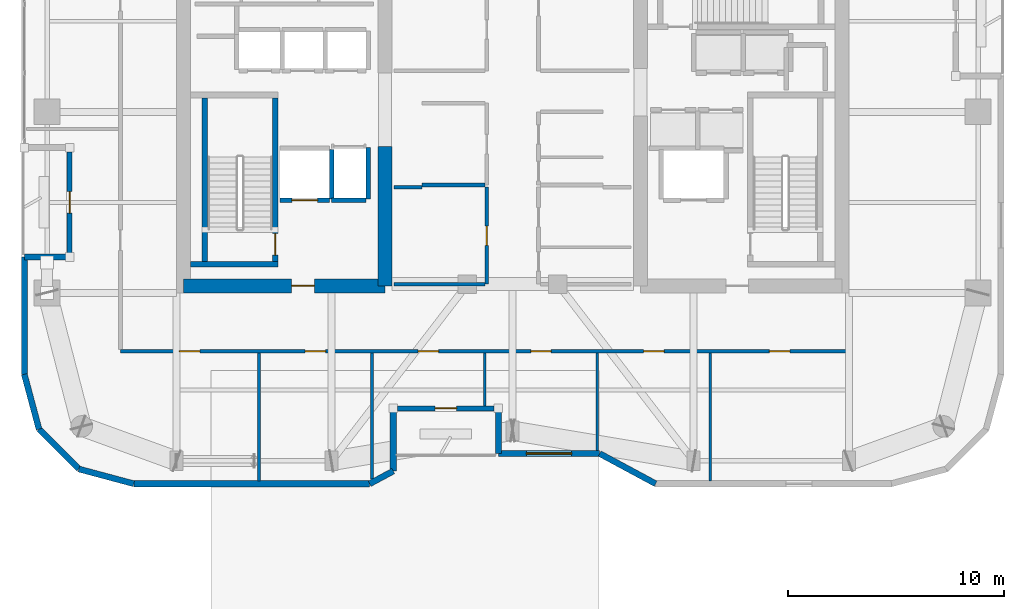
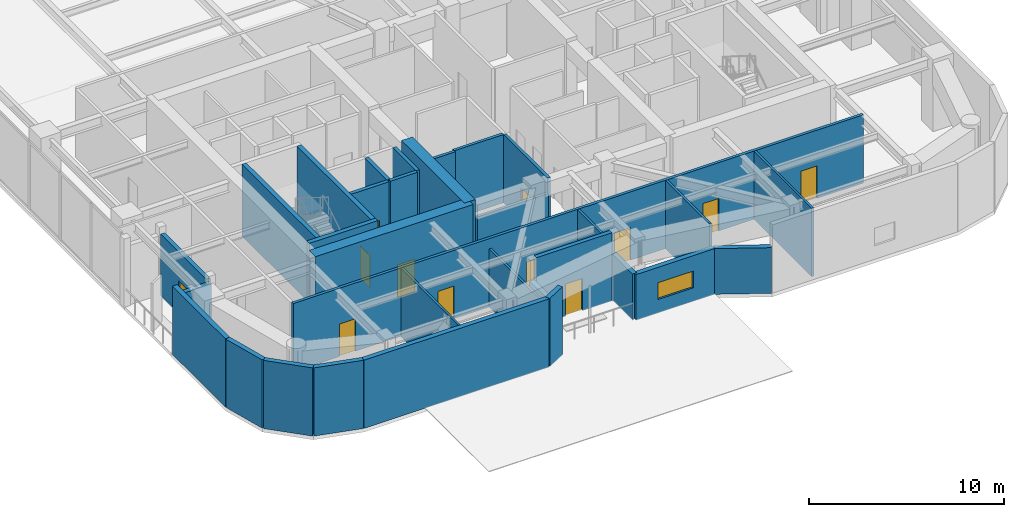
# One storey, part 11 of 18: 32 walls, 12 doors, 1 window, 13 openings.
"""IFC4 building model written with IfcOpenShell, lengths in metres."""

import ifcopenshell
import ifcopenshell.guid

model = None  # the IFC model being written
_history = None  # IfcOwnerHistory: only IFC2X3 demands one
_inside = {}  # id of a spatial element -> (the spatial element, [elements in it])
_under = {}  # id of a project, library or spatial element -> (it, [spatial elements below it])
_declared = {}  # id of a project -> (the project, [libraries it declares])
_typed = {}  # id of a type object -> (the type object, [elements of that type])
_made_of = {}  # id of a material, layer set ... -> (it, [elements and type objects made of it])


def new_model(schema):
    """Start an empty IFC model of exactly this schema.

    Asked for "IFC4X3", IfcOpenShell would pick the latest addendum, in which some entities
    have other attributes; the version numbers below select the first issue.
    IFC2X3 requires an IfcOwnerHistory on every rooted entity: one is made here for all.
    """
    global model, _history
    if schema == "IFC4X3":
        model = ifcopenshell.file(schema_version=(4, 3, 0, 0))
    else:
        model = ifcopenshell.file(schema=schema)
    _inside.clear()
    _under.clear()
    _declared.clear()
    _typed.clear()
    _made_of.clear()
    _history = None
    if model.schema == "IFC2X3":
        org = make("IfcOrganization", Name="unknown")
        user = make(
            "IfcPersonAndOrganization",
            ThePerson=make("IfcPerson", FamilyName="unknown"),
            TheOrganization=org,
        )
        app = make(
            "IfcApplication",
            ApplicationDeveloper=org,
            Version="unknown",
            ApplicationFullName="unknown",
            ApplicationIdentifier="unknown",
        )
        _history = make(
            "IfcOwnerHistory",
            OwningUser=user,
            OwningApplication=app,
            ChangeAction="ADDED",
            CreationDate=0,
        )
    return model


def make(cls, **values):
    """One entity of the class cls with the attributes given. An attribute that is None is left unset."""
    return model.create_entity(
        cls, **{name: value for name, value in values.items() if value is not None}
    )


def rooted(cls, **values):
    """An entity with a GlobalId (a new one), such as an element, a storey or a relation."""
    return make(cls, GlobalId=ifcopenshell.guid.new(), OwnerHistory=_history, **values)


def si_unit(unit_type, name, prefix=None):
    """IfcSIUnit, for example si_unit("LENGTHUNIT", "METRE", prefix="MILLI")."""
    return make("IfcSIUnit", UnitType=unit_type, Prefix=prefix, Name=name)


def assignment(units):
    """IfcUnitAssignment: the units of a project."""
    return None if units is None else make("IfcUnitAssignment", Units=units)


def point(xyz):
    """IfcCartesianPoint."""
    return None if xyz is None else make("IfcCartesianPoint", Coordinates=xyz)


def direction(xyz):
    """IfcDirection."""
    return None if xyz is None else make("IfcDirection", DirectionRatios=xyz)


def frame(location, z_axis=None, x_axis=None):
    """IfcAxis2Placement3D, a coordinate frame: its origin and axes. An axis left out is left unset."""
    return make(
        "IfcAxis2Placement3D",
        Location=point(location),
        Axis=direction(z_axis),
        RefDirection=direction(x_axis),
    )


def frame_2d(location, x_axis=None):
    """IfcAxis2Placement2D, a coordinate frame in the plane: its origin and x axis."""
    return make(
        "IfcAxis2Placement2D", Location=point(location), RefDirection=direction(x_axis)
    )


def origin():
    """The frame at (0, 0, 0) with its axes left unset."""
    return frame((0.0, 0.0, 0.0))


def place(relative_to, where):
    """IfcLocalPlacement: puts the frame where relative to a parent placement (None: the world)."""
    return make(
        "IfcLocalPlacement", PlacementRelTo=relative_to, RelativePlacement=where
    )


def context(
    kind, dimensions, precision=None, world=None, true_north=None, identifier=None
):
    """IfcGeometricRepresentationContext, for example the 3D "Model" context."""
    return make(
        "IfcGeometricRepresentationContext",
        ContextIdentifier=identifier,
        ContextType=kind,
        CoordinateSpaceDimension=dimensions,
        Precision=precision,
        WorldCoordinateSystem=world,
        TrueNorth=true_north,
    )


def subcontext(parent, identifier, kind, view, scale=None):
    """IfcGeometricRepresentationSubContext, for example "Body" below "Model"."""
    return make(
        "IfcGeometricRepresentationSubContext",
        ContextIdentifier=identifier,
        ContextType=kind,
        ParentContext=parent,
        TargetScale=scale,
        TargetView=view,
    )


def project(units=None, contexts=None):
    """IfcProject with its units and contexts."""
    return rooted(
        "IfcProject",
        Name="project",
        RepresentationContexts=contexts,
        UnitsInContext=assignment(units),
    )


def spatial(cls, under=None, at=None, **own):
    """A site, building, storey or space (cls), placed at a placement, below another one or the project."""
    s = rooted(cls, ObjectPlacement=at, **own)
    if under is not None:
        _under.setdefault(under.id(), (under, []))[1].append(s)
    return s


def profile(cls, at=None, kind="AREA", **sizes):
    """A parametric profile (cls). Its sizes go by their IFC names, for example OverallWidth=200.0."""
    return make(cls, ProfileType=kind, Position=at, **sizes)


def rectangle(**sizes):
    """IfcRectangleProfileDef."""
    return profile("IfcRectangleProfileDef", **sizes)


def extrude(swept, where, along, depth):
    """IfcExtrudedAreaSolid: the profile swept, set in the frame where, extruded along a direction by depth."""
    return make(
        "IfcExtrudedAreaSolid",
        SweptArea=swept,
        Position=where,
        ExtrudedDirection=direction(along),
        Depth=depth,
    )


def shape(context_of_items, identifier, shape_type, items):
    """IfcShapeRepresentation: the items that make up one representation, for example the "Body"."""
    return make(
        "IfcShapeRepresentation",
        ContextOfItems=context_of_items,
        RepresentationIdentifier=identifier,
        RepresentationType=shape_type,
        Items=items,
    )


def material(Name=None, Category=None):
    """IfcMaterial."""
    return make("IfcMaterial", Name=Name, Category=Category)


def layer(
    of_material, thickness, ventilated=None, Name=None, Category=None, Priority=None
):
    """IfcMaterialLayer: one layer of a wall or slab, of a material (None: an air gap)."""
    return make(
        "IfcMaterialLayer",
        Material=of_material,
        LayerThickness=thickness,
        IsVentilated=ventilated,
        Name=Name,
        Category=Category,
        Priority=Priority,
    )


def layer_set(layers, Name=None):
    """IfcMaterialLayerSet."""
    return make("IfcMaterialLayerSet", MaterialLayers=layers, LayerSetName=Name)


def made_of(thing, what):
    """Note that an element or type object is made of a material, layer set ...; save() writes the relation."""
    if what is not None:
        _made_of.setdefault(what.id(), (what, []))[1].append(thing)
    return thing


def type_object(cls, material=None, **own):
    """A type object (cls), such as IfcWallType, which elements share."""
    return made_of(rooted(cls, **own), material)


def element(
    cls,
    number,
    at=None,
    inside=None,
    cuts=None,
    type_object=None,
    material=None,
    context=None,
    identifier="Body",
    shape_type=None,
    held_by="IfcProductDefinitionShape",
    body=None,
    shapes=None,
    **own,
):
    """One element of the class cls, such as IfcWall. Its Tag is "e" and its number.

    at: its placement. inside: the storey or other place that contains it. cuts: it is an
    opening in that element (IfcRelVoidsElement). A single representation is given by context,
    identifier, shape_type and body (its items); several are given by shapes. held_by: the class
    of the entity that holds the representations. save() writes the other relations.
    """
    e = rooted(cls, Tag="e%d" % number, ObjectPlacement=at, **own)
    if body is not None:
        shapes = [shape(context, identifier, shape_type, body)]
    if shapes is not None:
        e.Representation = make(held_by, Representations=shapes)
    if inside is not None:
        _inside.setdefault(inside.id(), (inside, []))[1].append(e)
    if cuts is not None:
        rooted(
            "IfcRelVoidsElement", RelatingBuildingElement=cuts, RelatedOpeningElement=e
        )
    if type_object is not None:
        _typed.setdefault(type_object.id(), (type_object, []))[1].append(e)
    return made_of(e, material)


def fill(opening, filler):
    """IfcRelFillsElement: the door or window that sits in an opening."""
    return rooted(
        "IfcRelFillsElement",
        RelatingOpeningElement=opening,
        RelatedBuildingElement=filler,
    )


def aggregate(whole, parts):
    """IfcRelAggregates: a whole, such as a stair, and the parts it consists of."""
    return rooted("IfcRelAggregates", RelatingObject=whole, RelatedObjects=parts)


def save(model, path):
    """Write the relations noted so far, then the file.

    IfcRelAggregates (storeys below a building ...), IfcRelContainedInSpatialStructure (elements
    in a storey), IfcRelDefinesByType, IfcRelAssociatesMaterial and IfcRelDeclares: one each for
    every whole, place, type object, material and project.
    """
    for whole, parts in _under.values():
        aggregate(whole, parts)
    for where, things in _inside.values():
        rooted(
            "IfcRelContainedInSpatialStructure",
            RelatedElements=things,
            RelatingStructure=where,
        )
    for kind, things in _typed.values():
        rooted("IfcRelDefinesByType", RelatedObjects=things, RelatingType=kind)
    for what, things in _made_of.values():
        rooted("IfcRelAssociatesMaterial", RelatedObjects=things, RelatingMaterial=what)
    for by, libraries in _declared.values():
        rooted("IfcRelDeclares", RelatingContext=by, RelatedDefinitions=libraries)
    model.write(path)


model = new_model("IFC4")

# Units and contexts
model_context = context("Model", 3, precision=1e-05, world=origin(), true_north=direction((0.0, 1.0)))
body_context = subcontext(model_context, "Body", "Model", "MODEL_VIEW")
ifc_project = project(units=[si_unit("LENGTHUNIT", "METRE"), si_unit("AREAUNIT", "SQUARE_METRE"), si_unit("VOLUMEUNIT", "CUBIC_METRE"), si_unit("PLANEANGLEUNIT", "RADIAN"), si_unit("MASSUNIT", "GRAM", prefix="KILO")], contexts=[model_context])

# Site, building, storey
site_placement = place(None, origin())
site = spatial("IfcSite", under=ifc_project, at=site_placement, CompositionType="ELEMENT")
building_placement = place(site_placement, origin())
building = spatial("IfcBuilding", under=site, at=building_placement, Name="Kiyonajd Concourse Tower", CompositionType="ELEMENT")
storey_placement = place(building_placement, frame((0.0, 0.0, 214.800048828125)))
storey = spatial("IfcBuildingStorey", under=building, at=storey_placement, Name="L54", CompositionType="ELEMENT", Elevation=214.800048828125)

# Wall
ifc_material_1 = material(Name="Concrete C60/75", Category="concrete")
ifc_layer_1 = layer(ifc_material_1, 0.64990234375)
ifc_layer_set_1 = layer_set([ifc_layer_1], Name="Concrete C60/75")
wall_type_1 = type_object("IfcWallType", Name="WL-CORE-650", PredefinedType="SHEAR", material=ifc_layer_set_1)
wall_1_placement = place(storey_placement, frame((42.074951171875, 27.925048828125, 0.0), z_axis=(0.0, 0.0, 1.0), x_axis=(0.0, 1.0, 0.0)))
element("IfcWall", 1, at=wall_1_placement, inside=storey, type_object=wall_type_1, Name="L54 West Core Inner South Shear Wall", PredefinedType="SHEAR", context=body_context, shape_type="SweptSolid", body=[
    extrude(rectangle(XDim=6.474853515625, YDim=0.64990234375, at=frame_2d((3.2373046875, 0.0))), origin(), (0.0, 0.0, 1.0), 4.5),
])

# Wall, opening, door
wall_2_placement = place(storey_placement, frame((32.72509765625, 27.925048828125, 0.0), z_axis=(0.0, 0.0, 1.0), x_axis=(1.0, 0.0, 0.0)))
wall_2 = element("IfcWall", 2, at=wall_2_placement, inside=storey, type_object=wall_type_1, Name="L54 West Core South Shear Wall", PredefinedType="SHEAR", context=body_context, shape_type="SweptSolid", body=[
    extrude(rectangle(XDim=9.349853515625, YDim=0.64990234375, at=frame_2d((4.6748046875, 0.0))), origin(), (0.0, 0.0, 1.0), 4.5),
])
opening_1_placement = place(wall_2_placement, frame((5.02490234375, 0.0, 0.0)))
opening_1 = element("IfcOpeningElement", 3, at=opening_1_placement, cuts=wall_2, Name="Opening DF5", PredefinedType="OPENING", context=body_context, shape_type="SweptSolid", body=[
    extrude(rectangle(XDim=1.050048828125, YDim=2.0400390625, at=frame_2d((0.52490234375, 1.02001953125))), frame((0.0, 0.3349609375, 0.0), z_axis=(0.0, -1.0, 0.0), x_axis=(1.0, 0.0, 0.0)), (0.0, 0.0, 1.0), 0.669921875),
])
ifc_material_2 = material(Name="Brushed Stainless Steel Cab Assembly", Category="steel")
door_type_1 = type_object("IfcDoorType", Name="DR-FD45-1050", OperationType="NOTDEFINED", PredefinedType="DOOR", material=ifc_material_2)
door_1_placement = place(opening_1_placement, origin())
door_1 = element("IfcDoor", 4, at=door_1_placement, inside=storey, type_object=door_type_1, Name="L54 Firefighting Lift Lobby W Smoke Door", OperationType="SINGLE_SWING_LEFT", OverallHeight=2.0400390625, OverallWidth=1.050048828125, PredefinedType="DOOR", context=body_context, shape_type="SweptSolid", body=[
    extrude(rectangle(XDim=1.050048828125, YDim=2.0400390625, at=frame_2d((0.52490234375, 1.02001953125))), frame((0.0, 0.02490234375, 0.0), z_axis=(0.0, -1.0, 0.0), x_axis=(1.0, 0.0, 0.0)), (0.0, 0.0, 1.0), 0.050048828125),
])
fill(opening_1, door_1)

# Walls
ifc_material_3 = material(Name="Precast concrete C50/60", Category="concrete")
ifc_layer_2 = layer(ifc_material_3, 0.280029296875)
ifc_layer_set_2 = layer_set([ifc_layer_2], Name="Precast concrete C50/60")
wall_type_2 = type_object("IfcWallType", Name="WL-EXT-280", PredefinedType="SOLIDWALL", material=ifc_layer_set_2)
wall_3_placement = place(storey_placement, frame((26.0224609375, 21.2724609375, 0.0), z_axis=(0.0, 0.0, 1.0), x_axis=(-0.2588904131, 0.965906700466, 0.0)))
element("IfcWall", 5, at=wall_3_placement, inside=storey, type_object=wall_type_2, Name="L54 Exterior Concrete Frame Wall 00", PredefinedType="SOLIDWALL", context=body_context, shape_type="SweptSolid", body=[
    extrude(rectangle(XDim=2.6357421875, YDim=0.280029296875, at=frame_2d((1.31787109375, 0.0))), origin(), (0.0, 0.0, 1.0), 4.280029296875),
])
wall_4_placement = place(storey_placement, frame((25.340087890625, 23.818359375, 0.0), z_axis=(0.0, 0.0, 1.0), x_axis=(0.0, 1.0, 0.0)))
element("IfcWall", 6, at=wall_4_placement, inside=storey, type_object=wall_type_2, Name="L54 Exterior Concrete Frame Wall 01", PredefinedType="SOLIDWALL", context=body_context, shape_type="SweptSolid", body=[
    extrude(rectangle(XDim=5.441650390625, YDim=0.280029296875, at=frame_2d((2.720703125, 0.0))), origin(), (0.0, 0.0, 1.0), 4.280029296875),
])
wall_5_placement = place(storey_placement, frame((25.340087890625, 29.260009765625, 0.0), z_axis=(0.0, 0.0, 1.0), x_axis=(1.0, 0.0, 0.0)))
element("IfcWall", 7, at=wall_5_placement, inside=storey, type_object=wall_type_2, Name="L54 Exterior Concrete Frame Wall 02", PredefinedType="SOLIDWALL", context=body_context, shape_type="SweptSolid", body=[
    extrude(rectangle(XDim=2.099853515625, YDim=0.280029296875, at=frame_2d((1.0498046875, 0.0))), origin(), (0.0, 0.0, 1.0), 3.716064453125),
])
wall_6_placement = place(storey_placement, frame((54.63525390625, 18.739990234375, 0.0), z_axis=(0.0, 0.0, 1.0), x_axis=(-0.880473754814, 0.474094892488, 0.0)))
element("IfcWall", 8, at=wall_6_placement, inside=storey, type_object=wall_type_2, Name="L54 Exterior Concrete Frame Wall 29", PredefinedType="SOLIDWALL", context=body_context, shape_type="SweptSolid", body=[
    extrude(rectangle(XDim=2.952880859375, YDim=0.280029296875, at=frame_2d((1.4765625, 0.0))), origin(), (0.0, 0.0, 1.0), 2.864990234375),
])

# Wall, opening, window
wall_7_placement = place(storey_placement, frame((52.035400390625, 20.139892578125, 0.0), z_axis=(0.0, 0.0, 1.0), x_axis=(-1.0, 0.0, 0.0)))
wall_7 = element("IfcWall", 9, at=wall_7_placement, inside=storey, type_object=wall_type_2, Name="L54 Exterior Concrete Frame Wall 30", PredefinedType="SOLIDWALL", context=body_context, shape_type="SweptSolid", body=[
    extrude(rectangle(XDim=4.6953125, YDim=0.280029296875, at=frame_2d((2.34765625, 0.0))), origin(), (0.0, 0.0, 1.0), 2.864990234375),
])
opening_2_placement = place(wall_7_placement, frame((1.298095703125, 0.0, 0.85009765625)))
opening_2 = element("IfcOpeningElement", 10, at=opening_2_placement, cuts=wall_7, Name="Opening WN5", PredefinedType="OPENING", context=body_context, shape_type="SweptSolid", body=[
    extrude(rectangle(XDim=2.10009765625, YDim=1.050048828125, at=frame_2d((1.050048828125, 0.52490234375))), frame((0.0, 0.14990234375, 0.0), z_axis=(0.0, -1.0, 0.0), x_axis=(1.0, 0.0, 0.0)), (0.0, 0.0, 1.0), 0.300048828125),
])
ifc_material_4 = material(Name="Double Low-E Insulated Glass", Category="glass")
window_type = type_object("IfcWindowType", Name="WN-VIS-2100x1050", PartitioningType="SINGLE_PANEL", PredefinedType="WINDOW", material=ifc_material_4)
window_placement = place(opening_2_placement, origin())
window = element("IfcWindow", 11, at=window_placement, inside=storey, type_object=window_type, Name="L54 Modular Facade Vision Window 30", OverallHeight=1.050048828125, OverallWidth=2.10009765625, PartitioningType="SINGLE_PANEL", PredefinedType="WINDOW", context=body_context, shape_type="SweptSolid", body=[
    extrude(rectangle(XDim=2.10009765625, YDim=1.050048828125, at=frame_2d((1.050048828125, 0.52490234375))), frame((0.0, 0.030029296875, 0.0), z_axis=(0.0, -1.0, 0.0), x_axis=(1.0, 0.0, 0.0)), (0.0, 0.0, 1.0), 0.06005859375),
])
fill(opening_2, window)

# Walls
wall_8_placement = place(storey_placement, frame((47.340087890625, 20.139892578125, 0.0), z_axis=(0.0, 0.0, 1.0), x_axis=(0.0, 1.0, 0.0)))
element("IfcWall", 12, at=wall_8_placement, inside=storey, type_object=wall_type_2, Name="L54 Exterior Concrete Frame Wall 31", PredefinedType="SOLIDWALL", context=body_context, shape_type="SweptSolid", body=[
    extrude(rectangle(XDim=2.10009765625, YDim=0.280029296875, at=frame_2d((1.050048828125, 0.0))), origin(), (0.0, 0.0, 1.0), 2.864990234375),
])
wall_9_placement = place(storey_placement, frame((42.4599609375, 22.239990234375, 0.0), z_axis=(0.0, 0.0, 1.0), x_axis=(0.0, -1.0, 0.0)))
element("IfcWall", 13, at=wall_9_placement, inside=storey, type_object=wall_type_2, Name="L54 Exterior Concrete Frame Wall 33", PredefinedType="SOLIDWALL", context=body_context, shape_type="SweptSolid", body=[
    extrude(rectangle(XDim=2.910400390625, YDim=0.280029296875, at=frame_2d((1.455078125, 0.0))), origin(), (0.0, 0.0, 1.0), 2.864990234375),
])
wall_10_placement = place(storey_placement, frame((42.4599609375, 19.32958984375, 0.0), z_axis=(0.0, 0.0, 1.0), x_axis=(-0.880515214249, -0.474017887296, 0.0)))
element("IfcWall", 14, at=wall_10_placement, inside=storey, type_object=wall_type_2, Name="L54 Exterior Concrete Frame Wall 34", PredefinedType="SOLIDWALL", context=body_context, shape_type="SweptSolid", body=[
    extrude(rectangle(XDim=1.243896484375, YDim=0.280029296875, at=frame_2d((0.6220703125, 0.0))), origin(), (0.0, 0.0, 1.0), 4.280029296875),
])
wall_11_placement = place(storey_placement, frame((41.36474609375, 18.739990234375, 0.0), z_axis=(0.0, 0.0, 1.0), x_axis=(-1.0, 0.0, 0.0)))
element("IfcWall", 15, at=wall_11_placement, inside=storey, type_object=wall_type_2, Name="L54 Exterior Concrete Frame Wall 35", PredefinedType="SOLIDWALL", context=body_context, shape_type="SweptSolid", body=[
    extrude(rectangle(XDim=10.9462890625, YDim=0.280029296875, at=frame_2d((5.47314453125, 0.0))), origin(), (0.0, 0.0, 1.0), 4.280029296875),
])
wall_12_placement = place(storey_placement, frame((30.41845703125, 18.739990234375, 0.0), z_axis=(0.0, 0.0, 1.0), x_axis=(-0.965883534663, 0.258976828051, 0.0)))
element("IfcWall", 16, at=wall_12_placement, inside=storey, type_object=wall_type_2, Name="L54 Exterior Concrete Frame Wall 36", PredefinedType="SOLIDWALL", context=body_context, shape_type="SweptSolid", body=[
    extrude(rectangle(XDim=2.6357421875, YDim=0.280029296875, at=frame_2d((1.31787109375, 0.0))), origin(), (0.0, 0.0, 1.0), 4.280029296875),
])
wall_13_placement = place(storey_placement, frame((27.87255859375, 19.422607421875, 0.0), z_axis=(0.0, 0.0, 1.0), x_axis=(-0.707153437963, 0.707060121331, 0.0)))
element("IfcWall", 17, at=wall_13_placement, inside=storey, type_object=wall_type_2, Name="L54 Exterior Concrete Frame Wall 37", PredefinedType="SOLIDWALL", context=body_context, shape_type="SweptSolid", body=[
    extrude(rectangle(XDim=2.6162109375, YDim=0.280029296875, at=frame_2d((1.30810546875, 0.0))), origin(), (0.0, 0.0, 1.0), 4.280029296875),
])

# Wall, opening, door
ifc_layer_3 = layer(ifc_material_3, 0.239990234375)
ifc_layer_set_3 = layer_set([ifc_layer_3], Name="Precast concrete C50/60")
wall_type_3 = type_object("IfcWallType", Name="WL-LOG-240", PredefinedType="SOLIDWALL", material=ifc_layer_set_3)
wall_14_placement = place(storey_placement, frame((27.43994140625, 29.455078125, 0.0), z_axis=(0.0, 0.0, 1.0), x_axis=(0.0, 1.0, 0.0)))
wall_14 = element("IfcWall", 18, at=wall_14_placement, inside=storey, type_object=wall_type_3, Name="L54 Recessed Loggia Thermal Wall LOG-W", PredefinedType="SOLIDWALL", context=body_context, shape_type="SweptSolid", body=[
    extrude(rectangle(XDim=4.68994140625, YDim=0.239990234375, at=frame_2d((2.344970703125, 0.0))), origin(), (0.0, 0.0, 1.0), 3.847900390625),
])
opening_3_placement = place(wall_14_placement, frame((1.844970703125, 0.0, 0.0)))
opening_3 = element("IfcOpeningElement", 19, at=opening_3_placement, cuts=wall_14, Name="Opening DL1", PredefinedType="OPENING", context=body_context, shape_type="SweptSolid", body=[
    extrude(rectangle(XDim=1.0, YDim=2.02001953125, at=frame_2d((0.5, 1.010009765625))), frame((0.0, 0.1298828125, 0.0), z_axis=(0.0, -1.0, 0.0), x_axis=(1.0, 0.0, 0.0)), (0.0, 0.0, 1.0), 0.260009765625),
])
ifc_material_5 = material(Name="Thermally Broken Anodised Aluminium", Category="aluminium")
door_type_2 = type_object("IfcDoorType", Name="DR-LOG-1000", OperationType="NOTDEFINED", PredefinedType="DOOR", material=ifc_material_5)
door_2_placement = place(opening_3_placement, origin())
door_2 = element("IfcDoor", 20, at=door_2_placement, inside=storey, type_object=door_type_2, Name="L54 Engawa Loggia Access Door LOG-W", OperationType="SINGLE_SWING_LEFT", OverallHeight=2.02001953125, OverallWidth=1.0, PredefinedType="DOOR", context=body_context, shape_type="SweptSolid", body=[
    extrude(rectangle(XDim=1.0, YDim=2.02001953125, at=frame_2d((0.5, 1.010009765625))), frame((0.0, 0.02490234375, 0.0), z_axis=(0.0, -1.0, 0.0), x_axis=(1.0, 0.0, 0.0)), (0.0, 0.0, 1.0), 0.050048828125),
])
fill(opening_3, door_2)

wall_15_placement = place(storey_placement, frame((47.14501953125, 22.239990234375, 0.0), z_axis=(0.0, 0.0, 1.0), x_axis=(-1.0, 0.0, 0.0)))
wall_15 = element("IfcWall", 21, at=wall_15_placement, inside=storey, type_object=wall_type_3, Name="L54 Recessed Loggia Thermal Wall LOG-S", PredefinedType="SOLIDWALL", context=body_context, shape_type="SweptSolid", body=[
    extrude(rectangle(XDim=4.489990234375, YDim=0.239990234375, at=frame_2d((2.2451171875, 0.0))), origin(), (0.0, 0.0, 1.0), 4.280029296875),
])
opening_4_placement = place(wall_15_placement, frame((1.7451171875, 0.0, 0.0)))
opening_4 = element("IfcOpeningElement", 22, at=opening_4_placement, cuts=wall_15, Name="Opening DL1", PredefinedType="OPENING", context=body_context, shape_type="SweptSolid", body=[
    extrude(rectangle(XDim=1.0, YDim=2.02001953125, at=frame_2d((0.5, 1.010009765625))), frame((0.0, 0.1298828125, 0.0), z_axis=(0.0, -1.0, 0.0), x_axis=(1.0, 0.0, 0.0)), (0.0, 0.0, 1.0), 0.260009765625),
])
door_3_placement = place(opening_4_placement, origin())
door_3 = element("IfcDoor", 23, at=door_3_placement, inside=storey, type_object=door_type_2, Name="L54 Engawa Loggia Access Door LOG-S", OperationType="SINGLE_SWING_RIGHT", OverallHeight=2.02001953125, OverallWidth=1.0, PredefinedType="DOOR", context=body_context, shape_type="SweptSolid", body=[
    extrude(rectangle(XDim=1.0, YDim=2.02001953125, at=frame_2d((0.5, 1.010009765625))), frame((0.0, 0.02490234375, 0.0), z_axis=(0.0, -1.0, 0.0), x_axis=(1.0, 0.0, 0.0)), (0.0, 0.0, 1.0), 0.050048828125),
])
fill(opening_4, door_3)

# Walls
ifc_material_6 = material(Name="Gypsum Board on Cold-Formed Steel Stud", Category="steel")
ifc_layer_4 = layer(ifc_material_6, 0.125)
ifc_layer_set_4 = layer_set([ifc_layer_4], Name="Gypsum Board on Cold-Formed Steel Stud")
wall_type_4 = type_object("IfcWallType", Name="WL-PART-125", PredefinedType="PARTITIONING", material=ifc_layer_set_4)
wall_16_placement = place(storey_placement, frame((36.22998046875, 18.875, 0.0), z_axis=(0.0, 0.0, 1.0), x_axis=(0.0, 1.0, 0.0)))
element("IfcWall", 24, at=wall_16_placement, inside=storey, type_object=wall_type_4, Name="L54 Interior Partition Wall", PredefinedType="PARTITIONING", context=body_context, shape_type="SweptSolid", body=[
    extrude(rectangle(XDim=5.927978515625, YDim=0.125, at=frame_2d((2.9638671875, 0.0))), origin(), (0.0, 0.0, 1.0), 4.280029296875),
])
wall_17_placement = place(storey_placement, frame((41.469970703125, 18.951904296875, 0.0), z_axis=(0.0, 0.0, 1.0), x_axis=(0.0, 1.0, 0.0)))
element("IfcWall", 25, at=wall_17_placement, inside=storey, type_object=wall_type_4, Name="L54 Interior Partition Wall", PredefinedType="PARTITIONING", context=body_context, shape_type="SweptSolid", body=[
    extrude(rectangle(XDim=5.85107421875, YDim=0.125, at=frame_2d((2.925537109375, 0.0))), origin(), (0.0, 0.0, 1.0), 3.64306640625),
])
wall_18_placement = place(storey_placement, frame((46.699951171875, 22.35498046875, 0.0), z_axis=(0.0, 0.0, 1.0), x_axis=(0.0, 1.0, 0.0)))
element("IfcWall", 26, at=wall_18_placement, inside=storey, type_object=wall_type_4, Name="L54 Interior Partition Wall", PredefinedType="PARTITIONING", context=body_context, shape_type="SweptSolid", body=[
    extrude(rectangle(XDim=2.447998046875, YDim=0.125, at=frame_2d((1.22412109375, 0.0))), origin(), (0.0, 0.0, 1.0), 4.280029296875),
])
wall_19_placement = place(storey_placement, frame((51.929931640625, 20.27490234375, 0.0), z_axis=(0.0, 0.0, 1.0), x_axis=(0.0, 1.0, 0.0)))
element("IfcWall", 27, at=wall_19_placement, inside=storey, type_object=wall_type_4, Name="L54 Interior Partition Wall", PredefinedType="PARTITIONING", context=body_context, shape_type="SweptSolid", body=[
    extrude(rectangle(XDim=4.528076171875, YDim=0.125, at=frame_2d((2.26416015625, 0.0))), origin(), (0.0, 0.0, 1.0), 4.280029296875),
])
wall_20_placement = place(storey_placement, frame((57.169921875, 18.875, 0.0), z_axis=(0.0, 0.0, 1.0), x_axis=(0.0, 1.0, 0.0)))
element("IfcWall", 28, at=wall_20_placement, inside=storey, type_object=wall_type_4, Name="L54 Interior Partition Wall", PredefinedType="PARTITIONING", context=body_context, shape_type="SweptSolid", body=[
    extrude(rectangle(XDim=5.927978515625, YDim=0.125, at=frame_2d((2.9638671875, 0.0))), origin(), (0.0, 0.0, 1.0), 4.280029296875),
])

# Wall, opening, door
ifc_layer_5 = layer(ifc_material_6, 0.2099609375)
ifc_layer_set_5 = layer_set([ifc_layer_5], Name="Gypsum Board on Cold-Formed Steel Stud")
wall_type_5 = type_object("IfcWallType", Name="WL-SHAFT-210", PredefinedType="PARTITIONING", material=ifc_layer_set_5)
wall_21_placement = place(storey_placement, frame((37.199951171875, 31.89990234375, 0.0), z_axis=(0.0, 0.0, 1.0), x_axis=(1.0, 0.0, 0.0)))
wall_21 = element("IfcWall", 29, at=wall_21_placement, inside=storey, type_object=wall_type_5, Name="L54 Shaft Enclosure Wall", PredefinedType="PARTITIONING", context=body_context, shape_type="SweptSolid", body=[
    extrude(rectangle(XDim=2.300048828125, YDim=0.2099609375, at=frame_2d((1.14990234375, 0.0))), origin(), (0.0, 0.0, 1.0), 4.280029296875),
])
opening_5_placement = place(wall_21_placement, frame((0.550048828125, 0.0, 0.0)))
opening_5 = element("IfcOpeningElement", 30, at=opening_5_placement, cuts=wall_21, Name="Opening LD2", PredefinedType="OPENING", context=body_context, shape_type="SweptSolid", body=[
    extrude(rectangle(XDim=1.199951171875, YDim=2.0400390625, at=frame_2d((0.60009765625, 1.02001953125))), frame((0.0, 0.114990234375, 0.0), z_axis=(0.0, -1.0, 0.0), x_axis=(1.0, 0.0, 0.0)), (0.0, 0.0, 1.0), 0.22998046875),
])
door_type_3 = type_object("IfcDoorType", Name="DR-LD-1200", OperationType="DOUBLE_DOOR_SLIDING", PredefinedType="DOOR", material=ifc_material_2)
door_4_placement = place(opening_5_placement, origin())
door_4 = element("IfcDoor", 31, at=door_4_placement, inside=storey, type_object=door_type_3, Name="L54 Lift FFL1 Sliding Landing Door", OperationType="DOUBLE_DOOR_SLIDING", OverallHeight=2.0400390625, OverallWidth=1.199951171875, PredefinedType="DOOR", context=body_context, shape_type="SweptSolid", body=[
    extrude(rectangle(XDim=1.199951171875, YDim=2.0400390625, at=frame_2d((0.60009765625, 1.02001953125))), frame((0.0, 0.02490234375, 0.0), z_axis=(0.0, -1.0, 0.0), x_axis=(1.0, 0.0, 0.0)), (0.0, 0.0, 1.0), 0.050048828125),
])
fill(opening_5, door_4)

# Walls
wall_22_placement = place(storey_placement, frame((39.60009765625, 31.9599609375, 0.0), z_axis=(0.0, 0.0, 1.0), x_axis=(0.0, 1.0, 0.0)))
element("IfcWall", 32, at=wall_22_placement, inside=storey, type_object=wall_type_5, Name="L54 Shaft Enclosure Wall", PredefinedType="PARTITIONING", context=body_context, shape_type="SweptSolid", body=[
    extrude(rectangle(XDim=2.280029296875, YDim=0.2099609375, at=frame_2d((1.14013671875, 0.0))), origin(), (0.0, 0.0, 1.0), 4.280029296875),
])
wall_23_placement = place(storey_placement, frame((39.60009765625, 31.89990234375, 0.0), z_axis=(0.0, 0.0, 1.0), x_axis=(1.0, 0.0, 0.0)))
element("IfcWall", 33, at=wall_23_placement, inside=storey, type_object=wall_type_5, Name="L54 Shaft Enclosure Wall", PredefinedType="PARTITIONING", context=body_context, shape_type="SweptSolid", body=[
    extrude(rectangle(XDim=1.599853515625, YDim=0.2099609375, at=frame_2d((0.7998046875, 0.0))), origin(), (0.0, 0.0, 1.0), 4.280029296875),
])
wall_24_placement = place(storey_placement, frame((41.300048828125, 31.9599609375, 0.0), z_axis=(0.0, 0.0, 1.0), x_axis=(0.0, 1.0, 0.0)))
element("IfcWall", 34, at=wall_24_placement, inside=storey, type_object=wall_type_5, Name="L54 Shaft Enclosure Wall", PredefinedType="PARTITIONING", context=body_context, shape_type="SweptSolid", body=[
    extrude(rectangle(XDim=2.380126953125, YDim=0.2099609375, at=frame_2d((1.18994140625, 0.0))), origin(), (0.0, 0.0, 1.0), 4.280029296875),
])
ifc_layer_6 = layer(ifc_material_6, 0.169921875)
ifc_layer_set_6 = layer_set([ifc_layer_6], Name="Gypsum Board on Cold-Formed Steel Stud")
wall_type_6 = type_object("IfcWallType", Name="WL-SMK-170", PredefinedType="PARTITIONING", material=ifc_layer_set_6)
wall_25_placement = place(storey_placement, frame((43.800048828125, 32.60009765625, 0.0), z_axis=(0.0, 0.0, 1.0), x_axis=(1.0, 0.0, 0.0)))
element("IfcWall", 35, at=wall_25_placement, inside=storey, type_object=wall_type_6, Name="L54 Interior Partition Wall", PredefinedType="PARTITIONING", context=body_context, shape_type="SweptSolid", body=[
    extrude(rectangle(XDim=2.912841796875, YDim=0.169921875, at=frame_2d((1.45654296875, 0.0))), origin(), (0.0, 0.0, 1.0), 4.280029296875),
])

# Wall, opening, door
wall_26_placement = place(storey_placement, frame((46.800048828125, 28.0, 0.0), z_axis=(0.0, 0.0, 1.0), x_axis=(0.0, 1.0, 0.0)))
wall_26 = element("IfcWall", 36, at=wall_26_placement, inside=storey, type_object=wall_type_6, Name="L54 Interior Partition Wall", PredefinedType="PARTITIONING", context=body_context, shape_type="SweptSolid", body=[
    extrude(rectangle(XDim=4.5, YDim=0.169921875, at=frame_2d((2.25, 0.0))), origin(), (0.0, 0.0, 1.0), 4.280029296875),
])
opening_6_placement = place(wall_26_placement, frame((1.800048828125, 0.0, 0.0)))
opening_6 = element("IfcOpeningElement", 37, at=opening_6_placement, cuts=wall_26, Name="Opening DI2", PredefinedType="OPENING", context=body_context, shape_type="SweptSolid", body=[
    extrude(rectangle(XDim=0.89990234375, YDim=2.02001953125, at=frame_2d((0.449951171875, 1.010009765625))), frame((0.0, 0.094970703125, 0.0), z_axis=(0.0, -1.0, 0.0), x_axis=(1.0, 0.0, 0.0)), (0.0, 0.0, 1.0), 0.18994140625),
])
ifc_material_7 = material(Name="Natural Oak Acoustic Timber Veneer", Category="wood")
door_type_4 = type_object("IfcDoorType", Name="DR-INT-900", OperationType="NOTDEFINED", PredefinedType="DOOR", material=ifc_material_7)
door_5_placement = place(opening_6_placement, origin())
door_5 = element("IfcDoor", 38, at=door_5_placement, inside=storey, type_object=door_type_4, Name="L54 Interior Door", OperationType="SINGLE_SWING_RIGHT", OverallHeight=2.02001953125, OverallWidth=0.89990234375, PredefinedType="DOOR", context=body_context, shape_type="SweptSolid", body=[
    extrude(rectangle(XDim=0.89990234375, YDim=2.02001953125, at=frame_2d((0.449951171875, 1.010009765625))), frame((0.0, 0.02490234375, 0.0), z_axis=(0.0, -1.0, 0.0), x_axis=(1.0, 0.0, 0.0)), (0.0, 0.0, 1.0), 0.050048828125),
])
fill(opening_6, door_5)

# Walls
wall_27_placement = place(storey_placement, frame((42.5, 28.0, 0.0), z_axis=(0.0, 0.0, 1.0), x_axis=(1.0, 0.0, 0.0)))
element("IfcWall", 39, at=wall_27_placement, inside=storey, type_object=wall_type_6, Name="L54 Interior Partition Wall", PredefinedType="PARTITIONING", context=body_context, shape_type="SweptSolid", body=[
    extrude(rectangle(XDim=4.212890625, YDim=0.169921875, at=frame_2d((2.1064453125, 0.0))), origin(), (0.0, 0.0, 1.0), 3.364990234375),
])
wall_28_placement = place(storey_placement, frame((42.5, 32.5, 0.0), z_axis=(0.0, 0.0, 1.0), x_axis=(1.0, 0.0, 0.0)))
element("IfcWall", 40, at=wall_28_placement, inside=storey, type_object=wall_type_6, Name="L54 Interior Partition Wall", PredefinedType="PARTITIONING", context=body_context, shape_type="SweptSolid", body=[
    extrude(rectangle(XDim=1.300048828125, YDim=0.169921875, at=frame_2d((0.64990234375, 0.0))), origin(), (0.0, 0.0, 1.0), 4.280029296875),
])

# Wall, openings, doors
wall_29_placement = place(storey_placement, frame((29.800048828125, 24.889892578125, 0.0), z_axis=(0.0, 0.0, 1.0), x_axis=(1.0, 0.0, 0.0)))
wall_29 = element("IfcWall", 41, at=wall_29_placement, inside=storey, type_object=wall_type_6, Name="L54 Interior Partition Wall", PredefinedType="PARTITIONING", context=body_context, shape_type="SweptSolid", body=[
    extrude(rectangle(XDim=33.800048828125, YDim=0.169921875, at=frame_2d((16.89990234375, 0.0))), origin(), (0.0, 0.0, 1.0), 4.280029296875),
])
opening_7_placement = place(wall_29_placement, frame((2.739990234375, 0.0, 0.0)))
opening_7 = element("IfcOpeningElement", 42, at=opening_7_placement, cuts=wall_29, Name="Opening DI1", PredefinedType="OPENING", context=body_context, shape_type="SweptSolid", body=[
    extrude(rectangle(XDim=0.949951171875, YDim=2.0400390625, at=frame_2d((0.47509765625, 1.02001953125))), frame((0.0, 0.094970703125, 0.0), z_axis=(0.0, -1.0, 0.0), x_axis=(1.0, 0.0, 0.0)), (0.0, 0.0, 1.0), 0.18994140625),
])
opening_8_placement = place(wall_29_placement, frame((8.574951171875, 0.0, 0.0)))
opening_8 = element("IfcOpeningElement", 43, at=opening_8_placement, cuts=wall_29, Name="Opening DI1", PredefinedType="OPENING", context=body_context, shape_type="SweptSolid", body=[
    extrude(rectangle(XDim=0.949951171875, YDim=2.0400390625, at=frame_2d((0.47509765625, 1.02001953125))), frame((0.0, 0.094970703125, 0.0), z_axis=(0.0, -1.0, 0.0), x_axis=(1.0, 0.0, 0.0)), (0.0, 0.0, 1.0), 0.18994140625),
])
opening_9_placement = place(wall_29_placement, frame((13.81005859375, 0.0, 0.0)))
opening_9 = element("IfcOpeningElement", 44, at=opening_9_placement, cuts=wall_29, Name="Opening DI1", PredefinedType="OPENING", context=body_context, shape_type="SweptSolid", body=[
    extrude(rectangle(XDim=0.949951171875, YDim=2.0400390625, at=frame_2d((0.47509765625, 1.02001953125))), frame((0.0, 0.094970703125, 0.0), z_axis=(0.0, -1.0, 0.0), x_axis=(1.0, 0.0, 0.0)), (0.0, 0.0, 1.0), 0.18994140625),
])
opening_10_placement = place(wall_29_placement, frame((19.0400390625, 0.0, 0.0)))
opening_10 = element("IfcOpeningElement", 45, at=opening_10_placement, cuts=wall_29, Name="Opening DI1", PredefinedType="OPENING", context=body_context, shape_type="SweptSolid", body=[
    extrude(rectangle(XDim=0.949951171875, YDim=2.0400390625, at=frame_2d((0.47509765625, 1.02001953125))), frame((0.0, 0.094970703125, 0.0), z_axis=(0.0, -1.0, 0.0), x_axis=(1.0, 0.0, 0.0)), (0.0, 0.0, 1.0), 0.18994140625),
])
opening_11_placement = place(wall_29_placement, frame((24.27490234375, 0.0, 0.0)))
opening_11 = element("IfcOpeningElement", 46, at=opening_11_placement, cuts=wall_29, Name="Opening DI1", PredefinedType="OPENING", context=body_context, shape_type="SweptSolid", body=[
    extrude(rectangle(XDim=0.949951171875, YDim=2.0400390625, at=frame_2d((0.47509765625, 1.02001953125))), frame((0.0, 0.094970703125, 0.0), z_axis=(0.0, -1.0, 0.0), x_axis=(1.0, 0.0, 0.0)), (0.0, 0.0, 1.0), 0.18994140625),
])
opening_12_placement = place(wall_29_placement, frame((30.110107421875, 0.0, 0.0)))
opening_12 = element("IfcOpeningElement", 47, at=opening_12_placement, cuts=wall_29, Name="Opening DI1", PredefinedType="OPENING", context=body_context, shape_type="SweptSolid", body=[
    extrude(rectangle(XDim=0.949951171875, YDim=2.0400390625, at=frame_2d((0.47509765625, 1.02001953125))), frame((0.0, 0.094970703125, 0.0), z_axis=(0.0, -1.0, 0.0), x_axis=(1.0, 0.0, 0.0)), (0.0, 0.0, 1.0), 0.18994140625),
])
door_type_5 = type_object("IfcDoorType", Name="DR-INT-950", OperationType="NOTDEFINED", PredefinedType="DOOR", material=ifc_material_7)
door_6_placement = place(opening_7_placement, origin())
door_6 = element("IfcDoor", 48, at=door_6_placement, inside=storey, type_object=door_type_5, Name="L54 Interior Door", OperationType="SINGLE_SWING_RIGHT", OverallHeight=2.0400390625, OverallWidth=0.949951171875, PredefinedType="DOOR", context=body_context, shape_type="SweptSolid", body=[
    extrude(rectangle(XDim=0.949951171875, YDim=2.0400390625, at=frame_2d((0.47509765625, 1.02001953125))), frame((0.0, 0.02490234375, 0.0), z_axis=(0.0, -1.0, 0.0), x_axis=(1.0, 0.0, 0.0)), (0.0, 0.0, 1.0), 0.050048828125),
])
fill(opening_7, door_6)
door_7_placement = place(opening_8_placement, origin())
door_7 = element("IfcDoor", 49, at=door_7_placement, inside=storey, type_object=door_type_5, Name="L54 Interior Door", OperationType="SINGLE_SWING_LEFT", OverallHeight=2.0400390625, OverallWidth=0.949951171875, PredefinedType="DOOR", context=body_context, shape_type="SweptSolid", body=[
    extrude(rectangle(XDim=0.949951171875, YDim=2.0400390625, at=frame_2d((0.47509765625, 1.02001953125))), frame((0.0, 0.02490234375, 0.0), z_axis=(0.0, -1.0, 0.0), x_axis=(1.0, 0.0, 0.0)), (0.0, 0.0, 1.0), 0.050048828125),
])
fill(opening_8, door_7)
door_8_placement = place(opening_9_placement, origin())
door_8 = element("IfcDoor", 50, at=door_8_placement, inside=storey, type_object=door_type_5, Name="L54 Interior Door", OperationType="SINGLE_SWING_RIGHT", OverallHeight=2.0400390625, OverallWidth=0.949951171875, PredefinedType="DOOR", context=body_context, shape_type="SweptSolid", body=[
    extrude(rectangle(XDim=0.949951171875, YDim=2.0400390625, at=frame_2d((0.47509765625, 1.02001953125))), frame((0.0, 0.02490234375, 0.0), z_axis=(0.0, -1.0, 0.0), x_axis=(1.0, 0.0, 0.0)), (0.0, 0.0, 1.0), 0.050048828125),
])
fill(opening_9, door_8)
door_9_placement = place(opening_10_placement, origin())
door_9 = element("IfcDoor", 51, at=door_9_placement, inside=storey, type_object=door_type_5, Name="L54 Interior Door", OperationType="SINGLE_SWING_LEFT", OverallHeight=2.0400390625, OverallWidth=0.949951171875, PredefinedType="DOOR", context=body_context, shape_type="SweptSolid", body=[
    extrude(rectangle(XDim=0.949951171875, YDim=2.0400390625, at=frame_2d((0.47509765625, 1.02001953125))), frame((0.0, 0.02490234375, 0.0), z_axis=(0.0, -1.0, 0.0), x_axis=(1.0, 0.0, 0.0)), (0.0, 0.0, 1.0), 0.050048828125),
])
fill(opening_10, door_9)
door_10_placement = place(opening_11_placement, origin())
door_10 = element("IfcDoor", 52, at=door_10_placement, inside=storey, type_object=door_type_5, Name="L54 Interior Door", OperationType="SINGLE_SWING_RIGHT", OverallHeight=2.0400390625, OverallWidth=0.949951171875, PredefinedType="DOOR", context=body_context, shape_type="SweptSolid", body=[
    extrude(rectangle(XDim=0.949951171875, YDim=2.0400390625, at=frame_2d((0.47509765625, 1.02001953125))), frame((0.0, 0.02490234375, 0.0), z_axis=(0.0, -1.0, 0.0), x_axis=(1.0, 0.0, 0.0)), (0.0, 0.0, 1.0), 0.050048828125),
])
fill(opening_11, door_10)
door_11_placement = place(opening_12_placement, origin())
door_11 = element("IfcDoor", 53, at=door_11_placement, inside=storey, type_object=door_type_5, Name="L54 Interior Door", OperationType="SINGLE_SWING_LEFT", OverallHeight=2.0400390625, OverallWidth=0.949951171875, PredefinedType="DOOR", context=body_context, shape_type="SweptSolid", body=[
    extrude(rectangle(XDim=0.949951171875, YDim=2.0400390625, at=frame_2d((0.47509765625, 1.02001953125))), frame((0.0, 0.02490234375, 0.0), z_axis=(0.0, -1.0, 0.0), x_axis=(1.0, 0.0, 0.0)), (0.0, 0.0, 1.0), 0.050048828125),
])
fill(opening_12, door_11)

# Walls
ifc_material_8 = material(Name="Concrete C50/60", Category="concrete")
ifc_layer_7 = layer(ifc_material_8, 0.260009765625)
ifc_layer_set_7 = layer_set([ifc_layer_7], Name="Concrete C50/60")
wall_type_7 = type_object("IfcWallType", Name="WL-STAIR-260", PredefinedType="SHEAR", material=ifc_layer_set_7)
wall_30_placement = place(storey_placement, frame((33.050048828125, 28.919921875, 0.0), z_axis=(0.0, 0.0, 1.0), x_axis=(1.0, 0.0, 0.0)))
element("IfcWall", 54, at=wall_30_placement, inside=storey, type_object=wall_type_7, Name="L54 Stair ST1 Structural South Wall", PredefinedType="SHEAR", context=body_context, shape_type="SweptSolid", body=[
    extrude(rectangle(XDim=4.06005859375, YDim=0.260009765625, at=frame_2d((2.030029296875, 0.0))), origin(), (0.0, 0.0, 1.0), 4.5),
])
wall_31_placement = place(storey_placement, frame((33.719970703125, 29.050048828125, 0.0), z_axis=(0.0, 0.0, 1.0), x_axis=(0.0, 1.0, 0.0)))
element("IfcWall", 55, at=wall_31_placement, inside=storey, type_object=wall_type_7, Name="L54 Stair ST1 Structural West Wall", PredefinedType="SHEAR", context=body_context, shape_type="SweptSolid", body=[
    extrude(rectangle(XDim=7.599853515625, YDim=0.260009765625, at=frame_2d((3.7998046875, 0.0))), origin(), (0.0, 0.0, 1.0), 4.5),
])

# Wall, opening, door
wall_32_placement = place(storey_placement, frame((36.97998046875, 29.050048828125, 0.0), z_axis=(0.0, 0.0, 1.0), x_axis=(0.0, 1.0, 0.0)))
wall_32 = element("IfcWall", 56, at=wall_32_placement, inside=storey, type_object=wall_type_7, Name="L54 Stair ST1 Structural East Wall", PredefinedType="SHEAR", context=body_context, shape_type="SweptSolid", body=[
    extrude(rectangle(XDim=7.599853515625, YDim=0.260009765625, at=frame_2d((3.7998046875, 0.0))), origin(), (0.0, 0.0, 1.0), 4.5),
])
opening_13_placement = place(wall_32_placement, frame((0.300048828125, 0.0, 0.0)))
opening_13 = element("IfcOpeningElement", 57, at=opening_13_placement, cuts=wall_32, Name="Opening DF1", PredefinedType="OPENING", context=body_context, shape_type="SweptSolid", body=[
    extrude(rectangle(XDim=1.0, YDim=2.0400390625, at=frame_2d((0.5, 1.02001953125))), frame((0.0, 0.139892578125, 0.0), z_axis=(0.0, -1.0, 0.0), x_axis=(1.0, 0.0, 0.0)), (0.0, 0.0, 1.0), 0.280029296875),
])
door_type_6 = type_object("IfcDoorType", Name="DR-FD90-1000", OperationType="NOTDEFINED", PredefinedType="DOOR", material=ifc_material_2)
door_12_placement = place(opening_13_placement, origin())
door_12 = element("IfcDoor", 58, at=door_12_placement, inside=storey, type_object=door_type_6, Name="L54 Stair ST1 FSAE Door", OperationType="SINGLE_SWING_LEFT", OverallHeight=2.0400390625, OverallWidth=1.0, PredefinedType="DOOR", context=body_context, shape_type="SweptSolid", body=[
    extrude(rectangle(XDim=1.0, YDim=2.0400390625, at=frame_2d((0.5, 1.02001953125))), frame((0.0, 0.02490234375, 0.0), z_axis=(0.0, -1.0, 0.0), x_axis=(1.0, 0.0, 0.0)), (0.0, 0.0, 1.0), 0.050048828125),
])
fill(opening_13, door_12)

save(model, "model.ifc")
